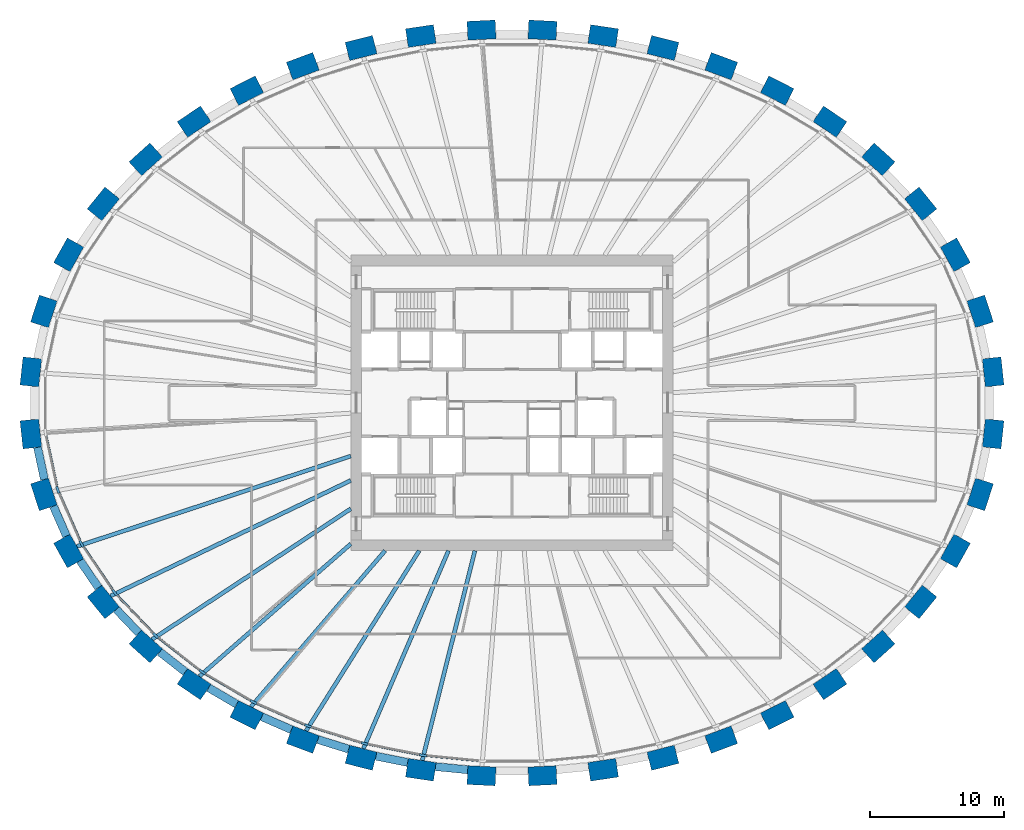
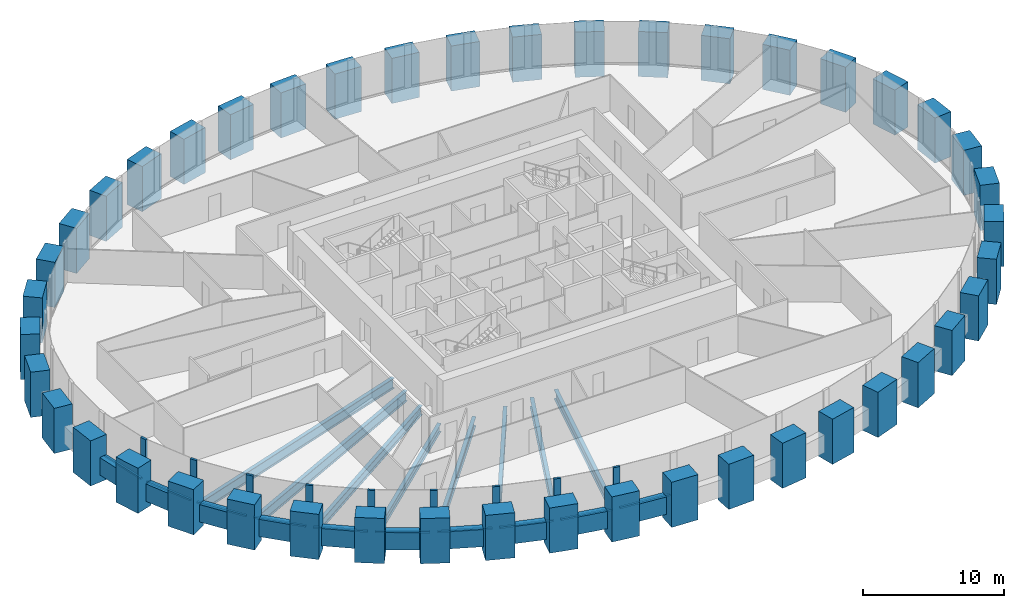
# One storey, part 1 of 11: 44 columns, 19 members, 18 beams, 1 element without a shape of its own.
"""IFC4 building model written with IfcOpenShell, lengths in metres."""

from ifc_helpers import new_model, si_unit, direction, frame, origin, origin_2d, place, context, subcontext, project, spatial, rectangle, i_section, extrude, source, transform, mapped, material, material_profile, profile_set, type_object, element, aggregate, save


model = new_model("IFC4")

# Units and contexts
model_context = context("Model", 3, precision=1e-05, world=origin(), true_north=direction((0.0, 1.0)))
body_context = subcontext(model_context, "Body", "Model", "MODEL_VIEW")
ifc_project = project(units=[si_unit("LENGTHUNIT", "METRE"), si_unit("AREAUNIT", "SQUARE_METRE"), si_unit("VOLUMEUNIT", "CUBIC_METRE"), si_unit("PLANEANGLEUNIT", "RADIAN"), si_unit("MASSUNIT", "GRAM", prefix="KILO")], contexts=[model_context])

# Site, building, storey
site_placement = place(None, origin())
site = spatial("IfcSite", under=ifc_project, at=site_placement, CompositionType="ELEMENT")
building_placement = place(site_placement, origin())
building = spatial("IfcBuilding", under=site, at=building_placement, Name="Embergate Tower", CompositionType="ELEMENT")
storey_placement = place(building_placement, frame((0.0, 0.0, 199.5)))
storey = spatial("IfcBuildingStorey", under=building, at=storey_placement, Name="L45", CompositionType="ELEMENT", Elevation=199.5)

# Columns
ifc_material_1 = material(Name="Concrete C60", Category="concrete")
ifc_material_profile_1 = material_profile(ifc_material_1, rectangle(XDim=1.39990234375, YDim=2.10009765625, at=origin_2d()), Name="RC 1400x2100")
ifc_profile_set_1 = profile_set([ifc_material_profile_1], Name="Concrete C60")
column_type = type_object("IfcColumnType", Name="Ring column RC 1400x2100 C60", PredefinedType="COLUMN", material=ifc_profile_set_1)
shared_shape_1 = source(origin(), body_context, "Body", "SweptSolid", [
    extrude(rectangle(XDim=1.39990234375, YDim=2.10009765625, at=origin_2d()), origin(), (0.0, 0.0, 1.0), 3.89990234375),
])
for number, where, z_axis, x_axis, name in (
    (1, (35.818115234375, 2.305908203125, -1.39990234375), (0.0, 0.0, 1.0), (0.994287757967, 0.106732630237, 0.0), "COL-L45-00"),
    (2, (34.84912109375, 6.81103515625, -1.39990234375), (0.0, 0.0, 1.0), (0.950754033697, 0.309946394413, 0.0), "COL-L45-01"),
    (3, (33.001953125, 11.02294921875, -1.39990234375), (0.0, 0.0, 1.0), (0.873500465855, 0.486823311018, 0.0), "COL-L45-02"),
    (4, (30.423095703125, 14.81591796875, -1.39990234375), (0.0, 0.0, 1.0), (0.775925311702, 0.630824786022, 0.0), "COL-L45-03"),
    (5, (27.26611328125, 18.126953125, -1.39990234375), (0.0, 0.0, 1.0), (0.669221393633, 0.743063070206, 0.0), "COL-L45-04"),
    (6, (23.66796875, 20.93603515625, -1.39990234375), (0.0, 0.0, 1.0), (0.560407734638, 0.828216862275, 0.0), "COL-L45-05"),
    (7, (19.741943359375, 23.243896484375, -1.39990234375), (0.0, 0.0, 1.0), (0.453010512651, 0.891505174089, 0.0), "COL-L45-06"),
    (8, (15.573974609375, 25.06689453125, -1.39990234375), (0.0, 0.0, 1.0), (0.348359375814, 0.937361053854, 0.0), "COL-L45-07"),
    (9, (11.236083984375, 26.41796875, -1.39990234375), (0.0, 0.0, 1.0), (0.24650851817, 0.969140624713, 0.0), "COL-L45-08"),
    (10, (6.784912109375, 27.31103515625, -1.39990234375), (0.0, 0.0, 1.0), (0.146929011949, 0.989147039346, 0.0), "COL-L45-09"),
    (11, (2.26904296875, 27.7548828125, -1.39990234375), (0.0, 0.0, 1.0), (0.048814904854, 0.998807841912, 0.0), "COL-L45-10"),
    (12, (-2.26904296875, 27.7548828125, -1.39990234375), (0.0, 0.0, 1.0), (-0.048814904854, 0.998807841912, 0.0), "COL-L45-11"),
    (13, (-6.784912109375, 27.31103515625, -1.39990234375), (0.0, 0.0, 1.0), (-0.146929011949, 0.989147039346, 0.0), "COL-L45-12"),
    (14, (-11.236083984375, 26.41796875, -1.39990234375), (0.0, 0.0, 1.0), (-0.24650851817, 0.969140624713, 0.0), "COL-L45-13"),
    (15, (-15.573974609375, 25.06689453125, -1.39990234375), (0.0, 0.0, 1.0), (-0.348359375814, 0.937361053854, 0.0), "COL-L45-14"),
    (16, (-19.741943359375, 23.243896484375, -1.39990234375), (0.0, 0.0, 1.0), (-0.453010512651, 0.891505174089, 0.0), "COL-L45-15"),
    (17, (-23.66796875, 20.93603515625, -1.39990234375), (0.0, 0.0, 1.0), (-0.560407734638, 0.828216862275, 0.0), "COL-L45-16"),
    (18, (-27.26611328125, 18.126953125, -1.39990234375), (0.0, 0.0, 1.0), (-0.669221393633, 0.743063070206, 0.0), "COL-L45-17"),
    (19, (-30.423095703125, 14.81591796875, -1.39990234375), (0.0, 0.0, 1.0), (-0.775925311702, 0.630824786022, 0.0), "COL-L45-18"),
    (20, (-33.001953125, 11.02294921875, -1.39990234375), (0.0, 0.0, 1.0), (-0.873500465855, 0.486823311018, 0.0), "COL-L45-19"),
    (21, (-34.84912109375, 6.81103515625, -1.39990234375), (0.0, 0.0, 1.0), (-0.950754033697, 0.309946394413, 0.0), "COL-L45-20"),
    (22, (-35.818115234375, 2.305908203125, -1.39990234375), (0.0, 0.0, 1.0), (-0.994287757967, 0.106732630237, 0.0), "COL-L45-21"),
    (23, (-35.818115234375, -2.305908203125, -1.39990234375), (0.0, 0.0, 1.0), (-0.994287757967, -0.106732630237, 0.0), "COL-L45-22"),
    (24, (-34.84912109375, -6.81103515625, -1.39990234375), (0.0, 0.0, 1.0), (-0.950754033697, -0.309946394413, 0.0), "COL-L45-23"),
    (25, (-33.001953125, -11.02294921875, -1.39990234375), (0.0, 0.0, 1.0), (-0.873500465855, -0.486823311018, 0.0), "COL-L45-24"),
    (26, (-30.423095703125, -14.81591796875, -1.39990234375), (0.0, 0.0, 1.0), (-0.775925311702, -0.630824786022, 0.0), "COL-L45-25"),
    (27, (-27.26611328125, -18.126953125, -1.39990234375), (0.0, 0.0, 1.0), (-0.669221393633, -0.743063070206, 0.0), "COL-L45-26"),
    (28, (-23.66796875, -20.93603515625, -1.39990234375), (0.0, 0.0, 1.0), (-0.560407734638, -0.828216862275, 0.0), "COL-L45-27"),
    (29, (-19.741943359375, -23.243896484375, -1.39990234375), (0.0, 0.0, 1.0), (-0.453010512651, -0.891505174089, 0.0), "COL-L45-28"),
    (30, (-15.573974609375, -25.06689453125, -1.39990234375), (0.0, 0.0, 1.0), (-0.348359375814, -0.937361053854, 0.0), "COL-L45-29"),
    (31, (-11.236083984375, -26.41796875, -1.39990234375), (0.0, 0.0, 1.0), (-0.24650851817, -0.969140624713, 0.0), "COL-L45-30"),
    (32, (-6.784912109375, -27.31103515625, -1.39990234375), (0.0, 0.0, 1.0), (-0.146929011949, -0.989147039346, 0.0), "COL-L45-31"),
    (33, (-2.26904296875, -27.7548828125, -1.39990234375), (0.0, 0.0, 1.0), (-0.048814904854, -0.998807841912, 0.0), "COL-L45-32"),
    (34, (2.26904296875, -27.7548828125, -1.39990234375), (0.0, 0.0, 1.0), (0.048814904854, -0.998807841912, 0.0), "COL-L45-33"),
    (35, (6.784912109375, -27.31103515625, -1.39990234375), (0.0, 0.0, 1.0), (0.146929011949, -0.989147039346, 0.0), "COL-L45-34"),
    (36, (11.236083984375, -26.41796875, -1.39990234375), (0.0, 0.0, 1.0), (0.24650851817, -0.969140624713, 0.0), "COL-L45-35"),
    (37, (15.573974609375, -25.06689453125, -1.39990234375), (0.0, 0.0, 1.0), (0.348359375814, -0.937361053854, 0.0), "COL-L45-36"),
    (38, (19.741943359375, -23.243896484375, -1.39990234375), (0.0, 0.0, 1.0), (0.453010512651, -0.891505174089, 0.0), "COL-L45-37"),
    (39, (23.66796875, -20.93603515625, -1.39990234375), (0.0, 0.0, 1.0), (0.560407734638, -0.828216862275, 0.0), "COL-L45-38"),
    (40, (27.26611328125, -18.126953125, -1.39990234375), (0.0, 0.0, 1.0), (0.669221393633, -0.743063070206, 0.0), "COL-L45-39"),
    (41, (30.423095703125, -14.81591796875, -1.39990234375), (0.0, 0.0, 1.0), (0.775925311702, -0.630824786022, 0.0), "COL-L45-40"),
    (42, (33.001953125, -11.02294921875, -1.39990234375), (0.0, 0.0, 1.0), (0.873500465855, -0.486823311018, 0.0), "COL-L45-41"),
    (43, (34.84912109375, -6.81103515625, -1.39990234375), (0.0, 0.0, 1.0), (0.950754033697, -0.309946394413, 0.0), "COL-L45-42"),
    (44, (35.818115234375, -2.305908203125, -1.39990234375), (0.0, 0.0, 1.0), (0.994287757967, -0.106732630237, 0.0), "COL-L45-43"),
):
    element("IfcColumn", number, at=place(storey_placement, frame(where, z_axis=z_axis, x_axis=x_axis)), inside=storey, type_object=column_type, Name=name, PredefinedType="COLUMN", context=body_context, shape_type="MappedRepresentation", body=[
        mapped(shared_shape_1, transform((0.0, 0.0, 0.0))),
    ])

# Beams
ifc_material_profile_2 = material_profile(ifc_material_1, rectangle(XDim=0.60009765625, YDim=1.5, at=origin_2d()), Name="RC 600x1500")
ifc_profile_set_2 = profile_set([ifc_material_profile_2], Name="Concrete C60")
beam_type_1 = type_object("IfcBeamType", Name="Spandrel beam RC 600x1500 C60", PredefinedType="BEAM", material=ifc_profile_set_2)
shared_shape_2 = source(origin(), body_context, "Body", "SweptSolid", [
    extrude(rectangle(XDim=0.60009765625, YDim=1.5, at=origin_2d()), origin(), (0.0, 0.0, 1.0), 2.438720703125),
])
beam_1_placement = place(storey_placement, frame((-35.320068359375, -3.30908203125, 0.0), z_axis=(0.210438320614, -0.977607136439, 0.0), x_axis=(0.977607136439, 0.210438320614, 0.0)))
element("IfcBeam", 45, at=beam_1_placement, inside=storey, type_object=beam_type_1, Name="SPN-L45-22", PredefinedType="BEAM", context=body_context, shape_type="MappedRepresentation", body=[
    mapped(shared_shape_2, transform((0.0, 0.0, 0.0))),
])
shared_shape_3 = source(origin(), body_context, "Body", "SweptSolid", [
    extrude(rectangle(XDim=0.60009765625, YDim=1.5, at=origin_2d()), origin(), (0.0, 0.0, 1.0), 2.431884765625),
])
beam_2_placement = place(storey_placement, frame((-34.14208984375, -7.68505859375, 0.0), z_axis=(0.401756025311, -0.915746742351, 0.0), x_axis=(0.915746742351, 0.401756025311, 0.0)))
element("IfcBeam", 46, at=beam_2_placement, inside=storey, type_object=beam_type_1, Name="SPN-L45-23", PredefinedType="BEAM", context=body_context, shape_type="MappedRepresentation", body=[
    mapped(shared_shape_3, transform((0.0, 0.0, 0.0))),
])
shared_shape_4 = source(origin(), body_context, "Body", "SweptSolid", [
    extrude(rectangle(XDim=0.60009765625, YDim=1.5, at=origin_2d()), origin(), (0.0, 0.0, 1.0), 2.42724609375),
])
beam_3_placement = place(storey_placement, frame((-32.14892578125, -11.7490234375, 0.0), z_axis=(0.562359541569, -0.826892826191, 0.0), x_axis=(0.826892826191, 0.562359541569, 0.0)))
element("IfcBeam", 47, at=beam_3_placement, inside=storey, type_object=beam_type_1, Name="SPN-L45-24", PredefinedType="BEAM", context=body_context, shape_type="MappedRepresentation", body=[
    mapped(shared_shape_4, transform((0.0, 0.0, 0.0))),
])
shared_shape_5 = source(origin(), body_context, "Body", "SweptSolid", [
    extrude(rectangle(XDim=0.60009765625, YDim=1.5, at=origin_2d()), origin(), (0.0, 0.0, 1.0), 2.419677734375),
])
beam_4_placement = place(storey_placement, frame((-29.448974609375, -15.376953125, 0.0), z_axis=(0.69015890768, -0.723657848813, 0.0), x_axis=(0.723657848813, 0.69015890768, 0.0)))
element("IfcBeam", 48, at=beam_4_placement, inside=storey, type_object=beam_type_1, Name="SPN-L45-25", PredefinedType="BEAM", context=body_context, shape_type="MappedRepresentation", body=[
    mapped(shared_shape_5, transform((0.0, 0.0, 0.0))),
])
shared_shape_6 = source(origin(), body_context, "Body", "SweptSolid", [
    extrude(rectangle(XDim=0.60009765625, YDim=1.5, at=origin_2d()), origin(), (0.0, 0.0, 1.0), 2.4150390625),
])
beam_5_placement = place(storey_placement, frame((-26.222900390625, -18.5380859375, 0.0), z_axis=(0.788327742651, -0.615255532415, 0.0), x_axis=(0.615255532415, 0.788327742651, 0.0)))
element("IfcBeam", 49, at=beam_5_placement, inside=storey, type_object=beam_type_1, Name="SPN-L45-26", PredefinedType="BEAM", context=body_context, shape_type="MappedRepresentation", body=[
    mapped(shared_shape_6, transform((0.0, 0.0, 0.0))),
])
shared_shape_7 = source(origin(), body_context, "Body", "SweptSolid", [
    extrude(rectangle(XDim=0.60009765625, YDim=1.5, at=origin_2d()), origin(), (0.0, 0.0, 1.0), 2.41015625),
])
beam_6_placement = place(storey_placement, frame((-22.58203125, -21.205078125, 0.0), z_axis=(0.862202298523, -0.506564108895, 0.0), x_axis=(0.506564108895, 0.862202298523, 0.0)))
element("IfcBeam", 50, at=beam_6_placement, inside=storey, type_object=beam_type_1, Name="SPN-L45-27", PredefinedType="BEAM", context=body_context, shape_type="MappedRepresentation", body=[
    mapped(shared_shape_7, transform((0.0, 0.0, 0.0))),
])
shared_shape_8 = source(origin(), body_context, "Body", "SweptSolid", [
    extrude(rectangle(XDim=0.60009765625, YDim=1.5, at=origin_2d()), origin(), (0.0, 0.0, 1.0), 2.407470703125),
])
beam_7_placement = place(storey_placement, frame((-18.625, -23.363037109375, 0.0), z_axis=(0.916352733651, -0.400371911515, 0.0), x_axis=(0.400371911515, 0.916352733651, 0.0)))
element("IfcBeam", 51, at=beam_7_placement, inside=storey, type_object=beam_type_1, Name="SPN-L45-28", PredefinedType="BEAM", context=body_context, shape_type="MappedRepresentation", body=[
    mapped(shared_shape_8, transform((0.0, 0.0, 0.0))),
])
shared_shape_9 = source(origin(), body_context, "Body", "SweptSolid", [
    extrude(rectangle(XDim=0.60009765625, YDim=1.5, at=origin_2d()), origin(), (0.0, 0.0, 1.0), 2.404541015625),
])
beam_8_placement = place(storey_placement, frame((-14.451904296875, -25.06103515625, 0.0), z_axis=(0.954790193156, -0.297280485491, 0.0), x_axis=(0.297280485491, 0.954790193156, 0.0)))
element("IfcBeam", 52, at=beam_8_placement, inside=storey, type_object=beam_type_1, Name="SPN-L45-29", PredefinedType="BEAM", context=body_context, shape_type="MappedRepresentation", body=[
    mapped(shared_shape_9, transform((0.0, 0.0, 0.0))),
])
shared_shape_10 = source(origin(), body_context, "Body", "SweptSolid", [
    extrude(rectangle(XDim=0.60009765625, YDim=1.5, at=origin_2d()), origin(), (0.0, 0.0, 1.0), 2.40185546875),
])
beam_9_placement = place(storey_placement, frame((-10.12109375, -26.2958984375, 0.0), z_axis=(0.980486735487, -0.196585252585, 0.0), x_axis=(0.196585252585, 0.980486735487, 0.0)))
element("IfcBeam", 53, at=beam_9_placement, inside=storey, type_object=beam_type_1, Name="SPN-L45-30", PredefinedType="BEAM", context=body_context, shape_type="MappedRepresentation", body=[
    mapped(shared_shape_10, transform((0.0, 0.0, 0.0))),
])
shared_shape_11 = source(origin(), body_context, "Body", "SweptSolid", [
    extrude(rectangle(XDim=0.60009765625, YDim=1.5, at=origin_2d()), origin(), (0.0, 0.0, 1.0), 2.4013671875),
])
beam_10_placement = place(storey_placement, frame((-5.68896484375, -27.077880859375, 0.0), z_axis=(0.995195949519, -0.097903125895, 0.0), x_axis=(0.097903125895, 0.995195949519, 0.0)))
element("IfcBeam", 54, at=beam_10_placement, inside=storey, type_object=beam_type_1, Name="SPN-L45-31", PredefinedType="BEAM", context=body_context, shape_type="MappedRepresentation", body=[
    mapped(shared_shape_11, transform((0.0, 0.0, 0.0))),
])
ifc_material_2 = material(Name="Steel Q355B", Category="steel")
ifc_material_profile_3 = material_profile(ifc_material_2, i_section(OverallWidth=0.300048828125, OverallDepth=0.89990234375, WebThickness=0.01611328125, FlangeThickness=0.028076171875, FilletRadius=0.028076171875, at=origin_2d()), Name="HN 900x300x16x28")
ifc_profile_set_3 = profile_set([ifc_material_profile_3], Name="Steel Q355 grade B")
beam_type_2 = type_object("IfcBeamType", Name="Radial girder HN 900x300x16x28", PredefinedType="BEAM", material=ifc_profile_set_3)
shared_shape_12 = source(origin(), body_context, "Body", "SweptSolid", [
    extrude(i_section(OverallWidth=0.300048828125, OverallDepth=0.89990234375, WebThickness=0.01611328125, FlangeThickness=0.028076171875, FilletRadius=0.028076171875, at=origin_2d()), origin(), (0.0, 0.0, 1.0), 21.47119140625),
])
beam_11_placement = place(storey_placement, frame((-32.39111328125, -10.681884765625, -0.64990234375), z_axis=(0.949700564112, 0.313159445849, 0.0), x_axis=(-0.313159445849, 0.949700564112, 0.0)))
element("IfcBeam", 55, at=beam_11_placement, inside=storey, type_object=beam_type_2, Name="GIR-L45-24", PredefinedType="BEAM", context=body_context, shape_type="MappedRepresentation", body=[
    mapped(shared_shape_12, transform((0.0, 0.0, 0.0))),
])
shared_shape_13 = source(origin(), body_context, "Body", "SweptSolid", [
    extrude(i_section(OverallWidth=0.300048828125, OverallDepth=0.89990234375, WebThickness=0.01611328125, FlangeThickness=0.028076171875, FilletRadius=0.028076171875, at=origin_2d()), origin(), (0.0, 0.0, 1.0), 19.841064453125),
])
beam_12_placement = place(storey_placement, frame((-29.8798828125, -14.3740234375, -0.64990234375), z_axis=(0.901154450988, 0.433498160854, 0.0), x_axis=(-0.433498160854, 0.901154450988, 0.0)))
element("IfcBeam", 56, at=beam_12_placement, inside=storey, type_object=beam_type_2, Name="GIR-L45-25", PredefinedType="BEAM", context=body_context, shape_type="MappedRepresentation", body=[
    mapped(shared_shape_13, transform((0.0, 0.0, 0.0))),
])
ifc_material_profile_4 = material_profile(ifc_material_2, i_section(OverallWidth=0.300048828125, OverallDepth=0.800048828125, WebThickness=0.013916015625, FlangeThickness=0.02587890625, FilletRadius=0.028076171875, at=origin_2d()), Name="HN 800x300x14x26")
ifc_profile_set_4 = profile_set([ifc_material_profile_4], Name="Steel Q355 grade B")
beam_type_3 = type_object("IfcBeamType", Name="Radial girder HN 800x300x14x26", PredefinedType="BEAM", material=ifc_profile_set_4)
shared_shape_14 = source(origin(), body_context, "Body", "SweptSolid", [
    extrude(i_section(OverallWidth=0.300048828125, OverallDepth=0.800048828125, WebThickness=0.013916015625, FlangeThickness=0.02587890625, FilletRadius=0.028076171875, at=origin_2d()), origin(), (0.0, 0.0, 1.0), 17.70654296875),
])
beam_13_placement = place(storey_placement, frame((-26.798095703125, -17.60693359375, -0.60009765625), z_axis=(0.835745977406, 0.549116254767, 0.0), x_axis=(-0.549116254767, 0.835745977406, 0.0)))
element("IfcBeam", 57, at=beam_13_placement, inside=storey, type_object=beam_type_3, Name="GIR-L45-26", PredefinedType="BEAM", context=body_context, shape_type="MappedRepresentation", body=[
    mapped(shared_shape_14, transform((0.0, 0.0, 0.0))),
])
ifc_material_profile_5 = material_profile(ifc_material_2, i_section(OverallWidth=0.300048828125, OverallDepth=0.699951171875, WebThickness=0.012939453125, FlangeThickness=0.02392578125, FilletRadius=0.01806640625, at=origin_2d()), Name="HN 700x300x13x24")
ifc_profile_set_5 = profile_set([ifc_material_profile_5], Name="Steel Q355 grade B")
beam_type_4 = type_object("IfcBeamType", Name="Radial girder HN 700x300x13x24", PredefinedType="BEAM", material=ifc_profile_set_5)
shared_shape_15 = source(origin(), body_context, "Body", "SweptSolid", [
    extrude(i_section(OverallWidth=0.300048828125, OverallDepth=0.699951171875, WebThickness=0.012939453125, FlangeThickness=0.02392578125, FilletRadius=0.01806640625, at=origin_2d()), origin(), (0.0, 0.0, 1.0), 14.9794921875),
])
beam_14_placement = place(storey_placement, frame((-23.27587890625, -20.35595703125, -0.550048828125), z_axis=(0.752760419663, 0.658294577365, 0.0), x_axis=(-0.658294577365, 0.752760419663, 0.0)))
element("IfcBeam", 58, at=beam_14_placement, inside=storey, type_object=beam_type_4, Name="GIR-L45-27", PredefinedType="BEAM", context=body_context, shape_type="MappedRepresentation", body=[
    mapped(shared_shape_15, transform((0.0, 0.0, 0.0))),
])
shared_shape_16 = source(origin(), body_context, "Body", "SweptSolid", [
    extrude(i_section(OverallWidth=0.300048828125, OverallDepth=0.800048828125, WebThickness=0.013916015625, FlangeThickness=0.02587890625, FilletRadius=0.028076171875, at=origin_2d()), origin(), (0.0, 0.0, 1.0), 15.31689453125),
])
beam_15_placement = place(storey_placement, frame((-19.425048828125, -22.6201171875, -0.60009765625), z_axis=(0.651502542644, 0.758646450548, 0.0), x_axis=(-0.758646450548, 0.651502542644, 0.0)))
element("IfcBeam", 59, at=beam_15_placement, inside=storey, type_object=beam_type_3, Name="GIR-L45-28", PredefinedType="BEAM", context=body_context, shape_type="MappedRepresentation", body=[
    mapped(shared_shape_16, transform((0.0, 0.0, 0.0))),
])
shared_shape_17 = source(origin(), body_context, "Body", "SweptSolid", [
    extrude(i_section(OverallWidth=0.300048828125, OverallDepth=0.800048828125, WebThickness=0.013916015625, FlangeThickness=0.02587890625, FilletRadius=0.028076171875, at=origin_2d()), origin(), (0.0, 0.0, 1.0), 15.836181640625),
])
beam_16_placement = place(storey_placement, frame((-15.330078125, -24.410888671875, -0.60009765625), z_axis=(0.531828302788, 0.846852204552, 0.0), x_axis=(-0.846852204552, 0.531828302788, 0.0)))
element("IfcBeam", 60, at=beam_16_placement, inside=storey, type_object=beam_type_3, Name="GIR-L45-29", PredefinedType="BEAM", context=body_context, shape_type="MappedRepresentation", body=[
    mapped(shared_shape_17, transform((0.0, 0.0, 0.0))),
])
shared_shape_18 = source(origin(), body_context, "Body", "SweptSolid", [
    extrude(i_section(OverallWidth=0.300048828125, OverallDepth=0.800048828125, WebThickness=0.013916015625, FlangeThickness=0.02587890625, FilletRadius=0.028076171875, at=origin_2d()), origin(), (0.0, 0.0, 1.0), 16.043701171875),
])
beam_17_placement = place(storey_placement, frame((-11.06298828125, -25.739990234375, -0.60009765625), z_axis=(0.394857578675, 0.918742342859, 0.0), x_axis=(-0.918742342859, 0.394857578675, 0.0)))
element("IfcBeam", 61, at=beam_17_placement, inside=storey, type_object=beam_type_3, Name="GIR-L45-30", PredefinedType="BEAM", context=body_context, shape_type="MappedRepresentation", body=[
    mapped(shared_shape_18, transform((0.0, 0.0, 0.0))),
])
shared_shape_19 = source(origin(), body_context, "Body", "SweptSolid", [
    extrude(i_section(OverallWidth=0.300048828125, OverallDepth=0.800048828125, WebThickness=0.013916015625, FlangeThickness=0.02587890625, FilletRadius=0.028076171875, at=origin_2d()), origin(), (0.0, 0.0, 1.0), 16.103515625),
])
beam_18_placement = place(storey_placement, frame((-6.681884765625, -26.618896484375, -0.60009765625), z_axis=(0.243480824062, 0.969905711043, 0.0), x_axis=(-0.969905711043, 0.243480824062, 0.0)))
element("IfcBeam", 62, at=beam_18_placement, inside=storey, type_object=beam_type_3, Name="GIR-L45-31", PredefinedType="BEAM", context=body_context, shape_type="MappedRepresentation", body=[
    mapped(shared_shape_19, transform((0.0, 0.0, 0.0))),
])

# Curtain wall, members
ifc_material_3 = material(Name="Aluminium and glass", Category="aluminium")
curtain_wall_type = type_object("IfcCurtainWallType", Name="Recessed office glazing", PredefinedType="NOTDEFINED", material=ifc_material_3)
curtain_wall_placement = place(storey_placement, origin())
curtain_wall = element("IfcCurtainWall", 63, at=curtain_wall_placement, inside=storey, type_object=curtain_wall_type, Name="Recessed office glazing ring", ObjectType="RECESSED OFFICE GLAZING", PredefinedType="USERDEFINED")
ifc_material_4 = material(Name="Aluminium, thermally broken", Category="aluminium")
ifc_material_profile_6 = material_profile(ifc_material_4, rectangle(XDim=0.179931640625, YDim=0.52001953125, at=origin_2d()), Name="AL 520x180")
ifc_profile_set_6 = profile_set([ifc_material_profile_6], Name="Aluminium, thermally broken")
member_type_1 = type_object("IfcMemberType", Name="Office mullion", PredefinedType="MULLION", material=ifc_profile_set_6)
shared_shape_20 = source(origin(), body_context, "Body", "SweptSolid", [
    extrude(rectangle(XDim=0.179931640625, YDim=0.52001953125, at=origin_2d()), origin(), (0.0, 0.0, 1.0), 3.699951171875),
])
member_1_placement = place(storey_placement, frame((-33.812744140625, -6.473388671875, 0.0), z_axis=(0.0, 0.0, 1.0), x_axis=(0.95149940886, 0.307650572791, 0.0)))
member_1 = element("IfcMember", 64, at=member_1_placement, type_object=member_type_1, Name="CW mullion 24", PredefinedType="MULLION", context=body_context, shape_type="MappedRepresentation", body=[
    mapped(shared_shape_20, transform((0.0, 0.0, 0.0))),
])
member_2_placement = place(storey_placement, frame((-32.050048828125, -10.492431640625, 0.0), z_axis=(0.0, 0.0, 1.0), x_axis=(0.875006120538, 0.484111855898, 0.0)))
member_2 = element("IfcMember", 65, at=member_2_placement, type_object=member_type_1, Name="CW mullion 25", PredefinedType="MULLION", context=body_context, shape_type="MappedRepresentation", body=[
    mapped(shared_shape_20, transform((0.0, 0.0, 0.0))),
])
member_3_placement = place(storey_placement, frame((-29.577392578125, -14.128662109375, 0.0), z_axis=(0.0, 0.0, 1.0), x_axis=(0.777879145133, 0.628413904658, 0.0)))
member_3 = element("IfcMember", 66, at=member_3_placement, type_object=member_type_1, Name="CW mullion 26", PredefinedType="MULLION", context=body_context, shape_type="MappedRepresentation", body=[
    mapped(shared_shape_20, transform((0.0, 0.0, 0.0))),
])
member_4_placement = place(storey_placement, frame((-26.53662109375, -17.3173828125, 0.0), z_axis=(0.0, 0.0, 1.0), x_axis=(0.671235590011, 0.741244077684, 0.0)))
member_4 = element("IfcMember", 67, at=member_4_placement, type_object=member_type_1, Name="CW mullion 27", PredefinedType="MULLION", context=body_context, shape_type="MappedRepresentation", body=[
    mapped(shared_shape_20, transform((0.0, 0.0, 0.0))),
])
member_5_placement = place(storey_placement, frame((-23.057373046875, -20.03271484375, 0.0), z_axis=(0.0, 0.0, 1.0), x_axis=(0.562226278725, 0.826983440893, 0.0)))
member_5 = element("IfcMember", 68, at=member_5_placement, type_object=member_type_1, Name="CW mullion 28", PredefinedType="MULLION", context=body_context, shape_type="MappedRepresentation", body=[
    mapped(shared_shape_20, transform((0.0, 0.0, 0.0))),
])
member_6_placement = place(storey_placement, frame((-19.247802734375, -22.272705078125, 0.0), z_axis=(0.0, 0.0, 1.0), x_axis=(0.454520708319, 0.890736170653, 0.0)))
member_6 = element("IfcMember", 69, at=member_6_placement, type_object=member_type_1, Name="CW mullion 29", PredefinedType="MULLION", context=body_context, shape_type="MappedRepresentation", body=[
    mapped(shared_shape_20, transform((0.0, 0.0, 0.0))),
])
member_7_placement = place(storey_placement, frame((-15.194580078125, -24.045166015625, 0.0), z_axis=(0.0, 0.0, 1.0), x_axis=(0.349510859141, 0.936932313106, 0.0)))
member_7 = element("IfcMember", 70, at=member_7_placement, type_object=member_type_1, Name="CW mullion 30", PredefinedType="MULLION", context=body_context, shape_type="MappedRepresentation", body=[
    mapped(shared_shape_20, transform((0.0, 0.0, 0.0))),
])
member_8_placement = place(storey_placement, frame((-10.967529296875, -25.361572265625, 0.0), z_axis=(0.0, 0.0, 1.0), x_axis=(0.247318645812, 0.968934201808, 0.0)))
member_8 = element("IfcMember", 71, at=member_8_placement, type_object=member_type_1, Name="CW mullion 31", PredefinedType="MULLION", context=body_context, shape_type="MappedRepresentation", body=[
    mapped(shared_shape_20, transform((0.0, 0.0, 0.0))),
])
member_9_placement = place(storey_placement, frame((-6.624755859375, -26.232421875, 0.0), z_axis=(0.0, 0.0, 1.0), x_axis=(0.147415835341, 0.989074603602, 0.0)))
member_9 = element("IfcMember", 72, at=member_9_placement, type_object=member_type_1, Name="CW mullion 32", PredefinedType="MULLION", context=body_context, shape_type="MappedRepresentation", body=[
    mapped(shared_shape_20, transform((0.0, 0.0, 0.0))),
])
ifc_material_profile_7 = material_profile(ifc_material_4, rectangle(XDim=0.179931640625, YDim=0.14990234375, at=origin_2d()), Name="AL 150x180")
ifc_profile_set_7 = profile_set([ifc_material_profile_7], Name="Aluminium, thermally broken")
member_type_2 = type_object("IfcMemberType", Name="Office sill transom", PredefinedType="USERDEFINED", material=ifc_profile_set_7)
shared_shape_21 = source(origin(), body_context, "Body", "SweptSolid", [
    extrude(rectangle(XDim=0.179931640625, YDim=0.14990234375, at=origin_2d()), origin(), (0.0, 0.0, 1.0), 3.861572265625),
])
member_10_placement = place(storey_placement, frame((-34.679931640625, -2.44384765625, 0.074951171875), z_axis=(0.210405488485, -0.97761420326, 0.0), x_axis=(0.97761420326, 0.210405488485, 0.0)))
member_10 = element("IfcMember", 73, at=member_10_placement, type_object=member_type_2, Name="CW transom 23.1", ObjectType="TRANSOM", PredefinedType="USERDEFINED", context=body_context, shape_type="MappedRepresentation", body=[
    mapped(shared_shape_21, transform((0.0, 0.0, 0.0))),
])
shared_shape_22 = source(origin(), body_context, "Body", "SweptSolid", [
    extrude(rectangle(XDim=0.179931640625, YDim=0.14990234375, at=origin_2d()), origin(), (0.0, 0.0, 1.0), 3.86865234375),
])
member_11_placement = place(storey_placement, frame((-33.708251953125, -6.71142578125, 0.074951171875), z_axis=(0.401613211287, -0.915809384381, 0.0), x_axis=(0.915809384381, 0.401613211287, 0.0)))
member_11 = element("IfcMember", 74, at=member_11_placement, type_object=member_type_2, Name="CW transom 24.1", ObjectType="TRANSOM", PredefinedType="USERDEFINED", context=body_context, shape_type="MappedRepresentation", body=[
    mapped(shared_shape_22, transform((0.0, 0.0, 0.0))),
])
shared_shape_23 = source(origin(), body_context, "Body", "SweptSolid", [
    extrude(rectangle(XDim=0.179931640625, YDim=0.14990234375, at=origin_2d()), origin(), (0.0, 0.0, 1.0), 3.87744140625),
])
member_12_placement = place(storey_placement, frame((-31.90380859375, -10.70751953125, 0.074951171875), z_axis=(0.562334132223, -0.826910106201, 0.0), x_axis=(0.826910106201, 0.562334132223, 0.0)))
member_12 = element("IfcMember", 75, at=member_12_placement, type_object=member_type_2, Name="CW transom 25.1", ObjectType="TRANSOM", PredefinedType="USERDEFINED", context=body_context, shape_type="MappedRepresentation", body=[
    mapped(shared_shape_23, transform((0.0, 0.0, 0.0))),
])
shared_shape_24 = source(origin(), body_context, "Body", "SweptSolid", [
    extrude(rectangle(XDim=0.179931640625, YDim=0.14990234375, at=origin_2d()), origin(), (0.0, 0.0, 1.0), 3.885986328125),
])
member_13_placement = place(storey_placement, frame((-29.397705078125, -14.31689453125, 0.074951171875), z_axis=(0.690100588862, -0.723713463501, 0.0), x_axis=(0.723713463501, 0.690100588862, 0.0)))
member_13 = element("IfcMember", 76, at=member_13_placement, type_object=member_type_2, Name="CW transom 26.1", ObjectType="TRANSOM", PredefinedType="USERDEFINED", context=body_context, shape_type="MappedRepresentation", body=[
    mapped(shared_shape_24, transform((0.0, 0.0, 0.0))),
])
shared_shape_25 = source(origin(), body_context, "Body", "SweptSolid", [
    extrude(rectangle(XDim=0.179931640625, YDim=0.14990234375, at=origin_2d()), origin(), (0.0, 0.0, 1.0), 3.893310546875),
])
member_14_placement = place(storey_placement, frame((-26.33154296875, -17.477294921875, 0.074951171875), z_axis=(0.788300946637, -0.615289864641, 0.0), x_axis=(0.615289864641, 0.788300946637, 0.0)))
member_14 = element("IfcMember", 77, at=member_14_placement, type_object=member_type_2, Name="CW transom 27.1", ObjectType="TRANSOM", PredefinedType="USERDEFINED", context=body_context, shape_type="MappedRepresentation", body=[
    mapped(shared_shape_25, transform((0.0, 0.0, 0.0))),
])
shared_shape_26 = source(origin(), body_context, "Body", "SweptSolid", [
    extrude(rectangle(XDim=0.179931640625, YDim=0.14990234375, at=origin_2d()), origin(), (0.0, 0.0, 1.0), 3.899169921875),
])
member_15_placement = place(storey_placement, frame((-22.833251953125, -20.16455078125, 0.074951171875), z_axis=(0.862038818014, -0.50684225972, 0.0), x_axis=(0.50684225972, 0.862038818014, 0.0)))
member_15 = element("IfcMember", 78, at=member_15_placement, type_object=member_type_2, Name="CW transom 28.1", ObjectType="TRANSOM", PredefinedType="USERDEFINED", context=body_context, shape_type="MappedRepresentation", body=[
    mapped(shared_shape_26, transform((0.0, 0.0, 0.0))),
])
shared_shape_27 = source(origin(), body_context, "Body", "SweptSolid", [
    extrude(rectangle(XDim=0.179931640625, YDim=0.14990234375, at=origin_2d()), origin(), (0.0, 0.0, 1.0), 3.904052734375),
])
member_16_placement = place(storey_placement, frame((-19.009521484375, -22.376708984375, 0.074951171875), z_axis=(0.91622190986, -0.400671201725, 0.0), x_axis=(0.400671201725, 0.91622190986, 0.0)))
member_16 = element("IfcMember", 79, at=member_16_placement, type_object=member_type_2, Name="CW transom 29.1", ObjectType="TRANSOM", PredefinedType="USERDEFINED", context=body_context, shape_type="MappedRepresentation", body=[
    mapped(shared_shape_27, transform((0.0, 0.0, 0.0))),
])
shared_shape_28 = source(origin(), body_context, "Body", "SweptSolid", [
    extrude(rectangle(XDim=0.179931640625, YDim=0.14990234375, at=origin_2d()), origin(), (0.0, 0.0, 1.0), 3.9072265625),
])
member_17_placement = place(storey_placement, frame((-14.9462890625, -24.122314453125, 0.074951171875), z_axis=(0.954764170674, -0.297364050277, 0.0), x_axis=(0.297364050277, 0.954764170674, 0.0)))
member_17 = element("IfcMember", 80, at=member_17_placement, type_object=member_type_2, Name="CW transom 30.1", ObjectType="TRANSOM", PredefinedType="USERDEFINED", context=body_context, shape_type="MappedRepresentation", body=[
    mapped(shared_shape_28, transform((0.0, 0.0, 0.0))),
])
shared_shape_29 = source(origin(), body_context, "Body", "SweptSolid", [
    extrude(rectangle(XDim=0.179931640625, YDim=0.14990234375, at=origin_2d()), origin(), (0.0, 0.0, 1.0), 3.909423828125),
])
member_18_placement = place(storey_placement, frame((-10.712646484375, -25.41259765625, 0.074951171875), z_axis=(0.980472439404, -0.196656542145, 0.0), x_axis=(0.196656542145, 0.980472439404, 0.0)))
member_18 = element("IfcMember", 81, at=member_18_placement, type_object=member_type_2, Name="CW transom 31.1", ObjectType="TRANSOM", PredefinedType="USERDEFINED", context=body_context, shape_type="MappedRepresentation", body=[
    mapped(shared_shape_29, transform((0.0, 0.0, 0.0))),
])
shared_shape_30 = source(origin(), body_context, "Body", "SweptSolid", [
    extrude(rectangle(XDim=0.179931640625, YDim=0.14990234375, at=origin_2d()), origin(), (0.0, 0.0, 1.0), 3.91064453125),
])
member_19_placement = place(storey_placement, frame((-6.365966796875, -26.2578125, 0.074951171875), z_axis=(0.995203291529, -0.097828464828, 0.0), x_axis=(0.097828464828, 0.995203291529, 0.0)))
member_19 = element("IfcMember", 82, at=member_19_placement, type_object=member_type_2, Name="CW transom 32.1", ObjectType="TRANSOM", PredefinedType="USERDEFINED", context=body_context, shape_type="MappedRepresentation", body=[
    mapped(shared_shape_30, transform((0.0, 0.0, 0.0))),
])
aggregate(curtain_wall, [member_1, member_2, member_3, member_4, member_5, member_6, member_7, member_8, member_9, member_10, member_11, member_12, member_13, member_14, member_15, member_16, member_17, member_18, member_19])

save(model, "model.ifc")
